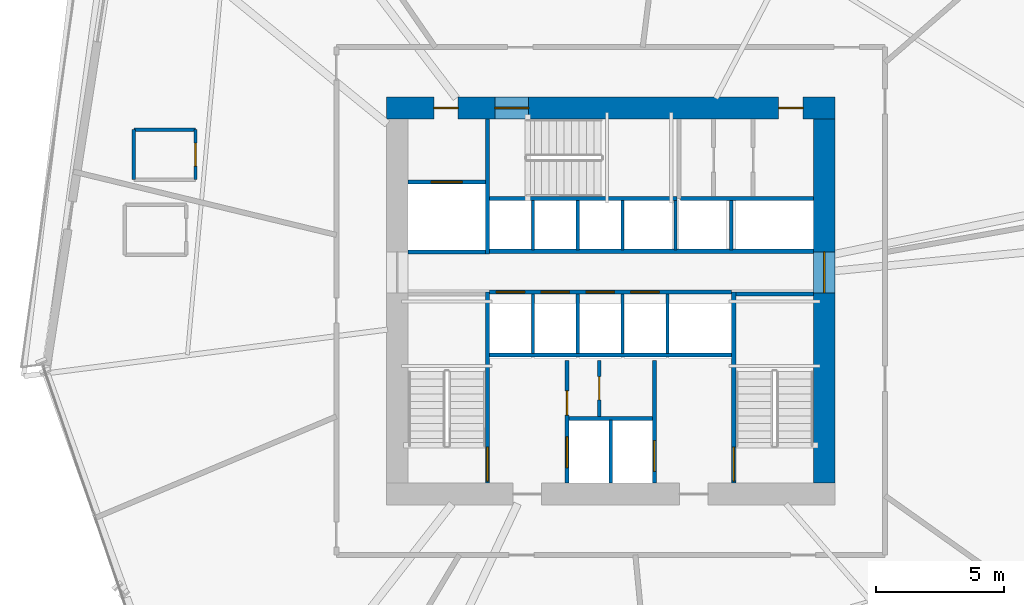
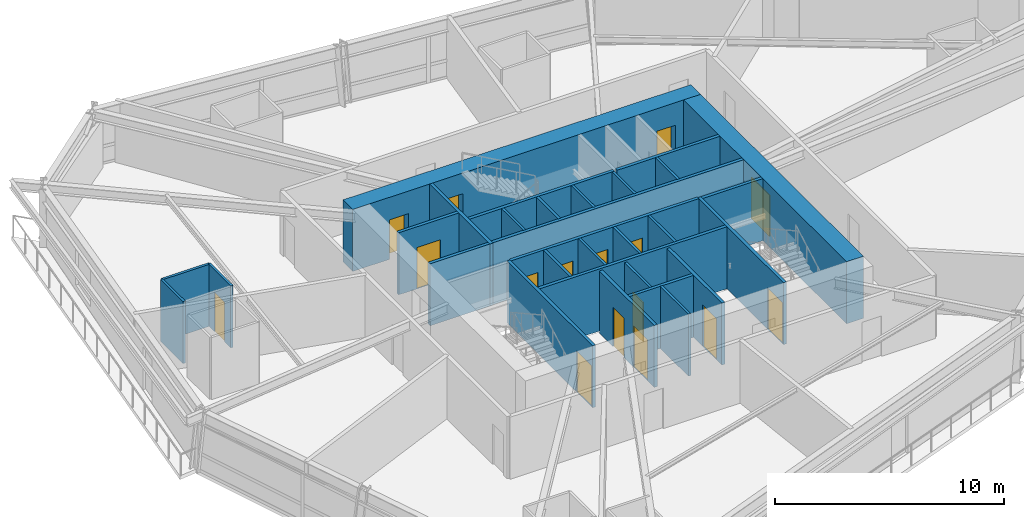
# One storey, part 16 of 22: 30 walls, 16 doors, 16 openings.
"""IFC4 building model written with IfcOpenShell, lengths in metres."""

from ifc_helpers import new_model, si_unit, direction, frame, frame_2d, origin, place, context, subcontext, project, spatial, rectangle, extrude, source, transform, mapped, material, layer, layer_set, type_object, type_shapes, element, fill, save


model = new_model("IFC4")

# Units and contexts
model_context = context("Model", 3, precision=1e-05, world=origin(), true_north=direction((0.0, 1.0)))
body_context = subcontext(model_context, "Body", "Model", "MODEL_VIEW")
ifc_project = project(units=[si_unit("LENGTHUNIT", "METRE"), si_unit("AREAUNIT", "SQUARE_METRE"), si_unit("VOLUMEUNIT", "CUBIC_METRE"), si_unit("PLANEANGLEUNIT", "RADIAN"), si_unit("MASSUNIT", "GRAM", prefix="KILO")], contexts=[model_context])

# Site, building, storey
site_placement = place(None, origin())
site = spatial("IfcSite", under=ifc_project, at=site_placement, CompositionType="ELEMENT")
building_placement = place(site_placement, origin())
building = spatial("IfcBuilding", under=site, at=building_placement, Name="Olszyna Solenne Hotel", CompositionType="ELEMENT")
storey_placement = place(building_placement, frame((0.0, 0.0, 61.25)))
storey = spatial("IfcBuildingStorey", under=building, at=storey_placement, Name="L15", CompositionType="ELEMENT", Elevation=61.25)

# Wall, openings, doors
ifc_material_1 = material(Name="Concrete C60/75", Category="concrete")
ifc_layer_1 = layer(ifc_material_1, 0.85009765625, Name="Concrete C60/75")
ifc_layer_set_1 = layer_set([ifc_layer_1], Name="Concrete C60/75")
wall_type_1 = type_object("IfcWallType", Name="WL-CR850", PredefinedType="SHEAR", material=ifc_layer_set_1)
wall_1_placement = place(storey_placement, frame((29.25, 34.125, 0.0), z_axis=(0.0, 0.0, 1.0), x_axis=(1.0, 0.0, 0.0)))
wall_1 = element("IfcWall", 1, at=wall_1_placement, inside=storey, type_object=wall_type_1, Name="Core shear wall WL-CR850 CRW-L15-N", PredefinedType="SHEAR", context=body_context, shape_type="SweptSolid", body=[
    extrude(rectangle(XDim=17.5, YDim=0.85009765625, at=frame_2d((8.75, 0.0))), origin(), (0.0, 0.0, 1.0), 3.300048828125),
])
opening_1_placement = place(wall_1_placement, frame((1.85009765625, 0.0, 0.0)))
opening_1 = element("IfcOpeningElement", 2, at=opening_1_placement, cuts=wall_1, Name="Opening SVD-L15-01", PredefinedType="OPENING", context=body_context, shape_type="SweptSolid", body=[
    extrude(rectangle(XDim=0.949951171875, YDim=2.10009765625, at=frame_2d((0.47509765625, 1.050048828125))), frame((0.0, 0.43505859375, 0.0), z_axis=(0.0, -1.0, 0.0), x_axis=(1.0, 0.0, 0.0)), (0.0, 0.0, 1.0), 0.8701171875),
])
opening_2_placement = place(wall_1_placement, frame((4.22998046875, 0.0, 0.0)))
opening_2 = element("IfcOpeningElement", 3, at=opening_2_placement, cuts=wall_1, Name="Opening STD-L15-03", PredefinedType="OPENING", context=body_context, shape_type="SweptSolid", body=[
    extrude(rectangle(XDim=1.320068359375, YDim=2.199951171875, at=frame_2d((0.66015625, 1.10009765625))), frame((0.0, 0.43505859375, 0.0), z_axis=(0.0, -1.0, 0.0), x_axis=(1.0, 0.0, 0.0)), (0.0, 0.0, 1.0), 0.8701171875),
])
opening_3_placement = place(wall_1_placement, frame((15.300048828125, 0.0, 0.0)))
opening_3 = element("IfcOpeningElement", 4, at=opening_3_placement, cuts=wall_1, Name="Opening SVD-L15-BN", PredefinedType="OPENING", context=body_context, shape_type="SweptSolid", body=[
    extrude(rectangle(XDim=0.949951171875, YDim=2.10009765625, at=frame_2d((0.47509765625, 1.050048828125))), frame((0.0, 0.43505859375, 0.0), z_axis=(0.0, -1.0, 0.0), x_axis=(1.0, 0.0, 0.0)), (0.0, 0.0, 1.0), 0.8701171875),
])
ifc_material_2 = material(Name="Steel S355J2", Category="steel")
door_type_1 = type_object("IfcDoorType", Name="DR-ST1", OperationType="NOTDEFINED", PredefinedType="DOOR", material=ifc_material_2)
shared_shape_1 = source(origin(), body_context, "Body", "SweptSolid", [
    extrude(rectangle(XDim=1.320068359375, YDim=2.199951171875, at=frame_2d((0.66015625, 1.10009765625))), frame((0.0, 0.02490234375, 0.0), z_axis=(0.0, -1.0, 0.0), x_axis=(1.0, 0.0, 0.0)), (0.0, 0.0, 1.0), 0.050048828125),
])
type_shapes(door_type_1, [shared_shape_1])
door_1_placement = place(opening_2_placement, origin())
door_1 = element("IfcDoor", 5, at=door_1_placement, inside=storey, type_object=door_type_1, Name="Pressurised exit stair ST3 fire door STD-L15-03", OperationType="SINGLE_SWING_RIGHT", OverallHeight=2.199951171875, OverallWidth=1.320068359375, PredefinedType="DOOR", context=body_context, shape_type="MappedRepresentation", body=[
    mapped(shared_shape_1, transform((0.0, 0.0, 0.0), x_axis=(1.0, 0.0, 0.0), y_axis=(0.0, 1.0, 0.0), z_axis=(0.0, 0.0, 1.0), scale=1.0)),
])
fill(opening_2, door_1)
door_type_2 = type_object("IfcDoorType", Name="DR-SV1", OperationType="NOTDEFINED", PredefinedType="DOOR", material=ifc_material_2)
shared_shape_2 = source(origin(), body_context, "Body", "SweptSolid", [
    extrude(rectangle(XDim=0.949951171875, YDim=2.10009765625, at=frame_2d((0.47509765625, 1.050048828125))), frame((0.0, 0.02490234375, 0.0), z_axis=(0.0, -1.0, 0.0), x_axis=(1.0, 0.0, 0.0)), (0.0, 0.0, 1.0), 0.050048828125),
])
type_shapes(door_type_2, [shared_shape_2])
door_2_placement = place(opening_1_placement, origin())
door_2 = element("IfcDoor", 6, at=door_2_placement, inside=storey, type_object=door_type_2, Name="Service lift lobby fire door SVD-L15-01", OperationType="SINGLE_SWING_LEFT", OverallHeight=2.10009765625, OverallWidth=0.949951171875, PredefinedType="DOOR", context=body_context, shape_type="MappedRepresentation", body=[
    mapped(shared_shape_2, transform((0.0, 0.0, 0.0), x_axis=(1.0, 0.0, 0.0), y_axis=(0.0, 1.0, 0.0), z_axis=(0.0, 0.0, 1.0), scale=1.0)),
])
fill(opening_1, door_2)
door_3_placement = place(opening_3_placement, origin())
door_3 = element("IfcDoor", 7, at=door_3_placement, inside=storey, type_object=door_type_2, Name="Housekeeping core fire door SVD-L15-BN", OperationType="SINGLE_SWING_LEFT", OverallHeight=2.10009765625, OverallWidth=0.949951171875, PredefinedType="DOOR", context=body_context, shape_type="MappedRepresentation", body=[
    mapped(shared_shape_2, transform((0.0, 0.0, 0.0), x_axis=(1.0, 0.0, 0.0), y_axis=(0.0, 1.0, 0.0), z_axis=(0.0, 0.0, 1.0), scale=1.0)),
])
fill(opening_3, door_3)

# Wall, opening, door
wall_2_placement = place(storey_placement, frame((46.324951171875, 33.699951171875, 0.0), z_axis=(0.0, 0.0, 1.0), x_axis=(0.0, -1.0, 0.0)))
wall_2 = element("IfcWall", 8, at=wall_2_placement, inside=storey, type_object=wall_type_1, Name="Core shear wall WL-CR850 CRW-L15-E", PredefinedType="SHEAR", context=body_context, shape_type="SweptSolid", body=[
    extrude(rectangle(XDim=14.199951171875, YDim=0.85009765625, at=frame_2d((7.10009765625, 0.0))), origin(), (0.0, 0.0, 1.0), 3.300048828125),
])
opening_4_placement = place(wall_2_placement, frame((5.179931640625, 0.0, 0.0)))
opening_4 = element("IfcOpeningElement", 9, at=opening_4_placement, cuts=wall_2, Name="Opening LHD-L15-E", PredefinedType="OPENING", context=body_context, shape_type="SweptSolid", body=[
    extrude(rectangle(XDim=1.60009765625, YDim=2.199951171875, at=frame_2d((0.800048828125, 1.10009765625))), frame((0.0, 0.43505859375, 0.0), z_axis=(0.0, -1.0, 0.0), x_axis=(1.0, 0.0, 0.0)), (0.0, 0.0, 1.0), 0.8701171875),
])
ifc_material_3 = material(Name="Timber hardwood", Category="wood")
door_type_3 = type_object("IfcDoorType", Name="DR-CR1", OperationType="DOUBLE_DOOR_SINGLE_SWING", PredefinedType="DOOR", material=ifc_material_3)
shared_shape_3 = source(origin(), body_context, "Body", "SweptSolid", [
    extrude(rectangle(XDim=1.60009765625, YDim=2.199951171875, at=frame_2d((0.800048828125, 1.10009765625))), frame((0.0, 0.02490234375, 0.0), z_axis=(0.0, -1.0, 0.0), x_axis=(1.0, 0.0, 0.0)), (0.0, 0.0, 1.0), 0.050048828125),
])
type_shapes(door_type_3, [shared_shape_3])
door_4_placement = place(opening_4_placement, origin())
door_4 = element("IfcDoor", 10, at=door_4_placement, inside=storey, type_object=door_type_3, Name="Passenger lift lobby East fire door LHD-L15-E", OperationType="DOUBLE_DOOR_SINGLE_SWING", OverallHeight=2.199951171875, OverallWidth=1.60009765625, PredefinedType="DOOR", context=body_context, shape_type="MappedRepresentation", body=[
    mapped(shared_shape_3, transform((0.0, 0.0, 0.0), x_axis=(1.0, 0.0, 0.0), y_axis=(0.0, 1.0, 0.0), z_axis=(0.0, 0.0, 1.0), scale=1.0)),
])
fill(opening_4, door_4)

# Wall
ifc_material_4 = material(Name="Acoustic gypsum partition", Category="gypsum")
ifc_layer_2 = layer(ifc_material_4, 0.125, Name="Acoustic gypsum partition")
ifc_layer_set_2 = layer_set([ifc_layer_2], Name="Acoustic gypsum partition")
wall_type_2 = type_object("IfcWallType", Name="WL-PT125", PredefinedType="PARTITIONING", material=ifc_layer_set_2)
wall_3_placement = place(storey_placement, frame((38.0, 19.5, 0.0), z_axis=(0.0, 0.0, 1.0), x_axis=(0.0, 1.0, 0.0)))
element("IfcWall", 11, at=wall_3_placement, inside=storey, type_object=wall_type_2, Name="Core shaft compartment wall CW-L15-FFM", PredefinedType="PARTITIONING", context=body_context, shape_type="SweptSolid", body=[
    extrude(rectangle(XDim=2.4599609375, YDim=0.125, at=frame_2d((1.22998046875, 0.0))), origin(), (0.0, 0.0, 1.0), 3.300048828125),
])

# Wall, opening, door
wall_4_placement = place(storey_placement, frame((37.553955078125, 22.10009765625, 0.0), z_axis=(0.0, 0.0, 1.0), x_axis=(0.0, 1.0, 0.0)))
wall_4 = element("IfcWall", 12, at=wall_4_placement, inside=storey, type_object=wall_type_2, Name="Core shaft compartment wall CW-L15-SC3", PredefinedType="PARTITIONING", context=body_context, shape_type="SweptSolid", body=[
    extrude(rectangle(XDim=2.179931640625, YDim=0.125, at=frame_2d((1.08984375, 0.0))), origin(), (0.0, 0.0, 1.0), 3.300048828125),
])
opening_5_placement = place(wall_4_placement, frame((0.64990234375, 0.0, 0.0)))
opening_5 = element("IfcOpeningElement", 13, at=opening_5_placement, cuts=wall_4, Name="Opening SVD-L15-SC3", PredefinedType="OPENING", context=body_context, shape_type="SweptSolid", body=[
    extrude(rectangle(XDim=0.89990234375, YDim=2.10009765625, at=frame_2d((0.449951171875, 1.050048828125))), frame((0.0, 0.072509765625, 0.0), z_axis=(0.0, -1.0, 0.0), x_axis=(1.0, 0.0, 0.0)), (0.0, 0.0, 1.0), 0.14501953125),
])
door_type_4 = type_object("IfcDoorType", Name="DR-WC1", OperationType="NOTDEFINED", PredefinedType="DOOR", material=ifc_material_3)
shared_shape_4 = source(origin(), body_context, "Body", "SweptSolid", [
    extrude(rectangle(XDim=0.89990234375, YDim=2.10009765625, at=frame_2d((0.449951171875, 1.050048828125))), frame((0.0, 0.02490234375, 0.0), z_axis=(0.0, -1.0, 0.0), x_axis=(1.0, 0.0, 0.0)), (0.0, 0.0, 1.0), 0.050048828125),
])
type_shapes(door_type_4, [shared_shape_4])
door_5_placement = place(opening_5_placement, origin())
door_5 = element("IfcDoor", 14, at=door_5_placement, inside=storey, type_object=door_type_4, Name="Trolley bay door SVD-L15-SC3", OperationType="SINGLE_SWING_LEFT", OverallHeight=2.10009765625, OverallWidth=0.89990234375, PredefinedType="DOOR", context=body_context, shape_type="MappedRepresentation", body=[
    mapped(shared_shape_4, transform((0.0, 0.0, 0.0), x_axis=(1.0, 0.0, 0.0), y_axis=(0.0, 1.0, 0.0), z_axis=(0.0, 0.0, 1.0), scale=1.0)),
])
fill(opening_5, door_5)

# Walls
for number, where, z_axis, x_axis, name in (
    (15, (34.965087890625, 24.56005859375, 0.0), (0.0, 0.0, 1.0), (0.0, 1.0, 0.0), "Core shaft compartment wall CW-L15-DIVS349"),
    (16, (36.715087890625, 24.56005859375, 0.0), (0.0, 0.0, 1.0), (0.0, 1.0, 0.0), "Core shaft compartment wall CW-L15-DIVS367"),
    (17, (38.465087890625, 24.56005859375, 0.0), (0.0, 0.0, 1.0), (0.0, 1.0, 0.0), "Core shaft compartment wall CW-L15-DIVS384"),
    (18, (40.215087890625, 24.56005859375, 0.0), (0.0, 0.0, 1.0), (0.0, 1.0, 0.0), "Core shaft compartment wall CW-L15-DIVS402"),
):
    element("IfcWall", number, at=place(storey_placement, frame(where, z_axis=z_axis, x_axis=x_axis)), inside=storey, type_object=wall_type_2, Name=name, PredefinedType="PARTITIONING", context=body_context, shape_type="SweptSolid", body=[
        extrude(rectangle(XDim=2.31005859375, YDim=0.125, at=frame_2d((1.155029296875, 0.0))), origin(), (0.0, 0.0, 1.0), 3.300048828125),
    ])
for number, where, z_axis, x_axis, name in (
    (19, (34.965087890625, 28.60009765625, 0.0), (0.0, 0.0, 1.0), (0.0, 1.0, 0.0), "Core shaft compartment wall CW-L15-DIVN349"),
    (20, (36.715087890625, 28.60009765625, 0.0), (0.0, 0.0, 1.0), (0.0, 1.0, 0.0), "Core shaft compartment wall CW-L15-DIVN367"),
    (21, (38.465087890625, 28.60009765625, 0.0), (0.0, 0.0, 1.0), (0.0, 1.0, 0.0), "Core shaft compartment wall CW-L15-DIVN384"),
    (22, (40.52490234375, 28.60009765625, 0.0), (0.0, 0.0, 1.0), (0.0, 1.0, 0.0), "Core shaft compartment wall CW-L15-DIVEX405"),
    (23, (42.699951171875, 28.60009765625, 0.0), (0.0, 0.0, 1.0), (0.0, 1.0, 0.0), "Core shaft compartment wall CW-L15-DIVEX427"),
):
    element("IfcWall", number, at=place(storey_placement, frame(where, z_axis=z_axis, x_axis=x_axis)), inside=storey, type_object=wall_type_2, Name=name, PredefinedType="PARTITIONING", context=body_context, shape_type="SweptSolid", body=[
        extrude(rectangle(XDim=1.919921875, YDim=0.125, at=frame_2d((0.9599609375, 0.0))), origin(), (0.0, 0.0, 1.0), 3.300048828125),
    ])

# Wall, opening, door
wall_5_placement = place(storey_placement, frame((21.802001953125, 31.33203125, 0.0), z_axis=(0.0, 0.0, 1.0), x_axis=(0.0, 1.0, 0.0)))
wall_5 = element("IfcWall", 24, at=wall_5_placement, inside=storey, type_object=wall_type_2, Name="Interior acoustic partition WL-PT125 PW-L15-0853", PredefinedType="PARTITIONING", context=body_context, shape_type="SweptSolid", body=[
    extrude(rectangle(XDim=1.949951171875, YDim=0.125, at=frame_2d((0.97509765625, 0.0))), origin(), (0.0, 0.0, 1.0), 3.300048828125),
])
opening_6_placement = place(wall_5_placement, frame((0.52490234375, 0.0, 0.0)))
opening_6 = element("IfcOpeningElement", 25, at=opening_6_placement, cuts=wall_5, Name="Opening DR-L15-0188", PredefinedType="OPENING", context=body_context, shape_type="SweptSolid", body=[
    extrude(rectangle(XDim=0.89990234375, YDim=2.10009765625, at=frame_2d((0.449951171875, 1.050048828125))), frame((0.0, 0.072509765625, 0.0), z_axis=(0.0, -1.0, 0.0), x_axis=(1.0, 0.0, 0.0)), (0.0, 0.0, 1.0), 0.14501953125),
])
door_6_placement = place(opening_6_placement, origin())
door_6 = element("IfcDoor", 26, at=door_6_placement, inside=storey, type_object=door_type_4, Name="En-Suite Bathroom Door DR-L15-0188", OperationType="SINGLE_SWING_RIGHT", OverallHeight=2.10009765625, OverallWidth=0.89990234375, PredefinedType="DOOR", context=body_context, shape_type="MappedRepresentation", body=[
    mapped(shared_shape_4, transform((0.0, 0.0, 0.0), x_axis=(1.0, 0.0, 0.0), y_axis=(0.0, 1.0, 0.0), z_axis=(0.0, 0.0, 1.0), scale=1.0)),
])
fill(opening_6, door_6)

# Walls
wall_6_placement = place(storey_placement, frame((21.802001953125, 33.281982421875, 0.0), z_axis=(0.0, 0.0, 1.0), x_axis=(-1.0, 0.0, 0.0)))
element("IfcWall", 27, at=wall_6_placement, inside=storey, type_object=wall_type_2, Name="Interior acoustic partition WL-PT125 PW-L15-0854", PredefinedType="PARTITIONING", context=body_context, shape_type="SweptSolid", body=[
    extrude(rectangle(XDim=2.39990234375, YDim=0.125, at=frame_2d((1.199951171875, 0.0))), origin(), (0.0, 0.0, 1.0), 3.300048828125),
])
wall_7_placement = place(storey_placement, frame((19.402099609375, 33.281982421875, 0.0), z_axis=(0.0, 0.0, 1.0), x_axis=(0.0, -1.0, 0.0)))
element("IfcWall", 28, at=wall_7_placement, inside=storey, type_object=wall_type_2, Name="Interior acoustic partition WL-PT125 PW-L15-0855", PredefinedType="PARTITIONING", context=body_context, shape_type="SweptSolid", body=[
    extrude(rectangle(XDim=1.949951171875, YDim=0.125, at=frame_2d((0.97509765625, 0.0))), origin(), (0.0, 0.0, 1.0), 3.300048828125),
])

# Wall, opening, door
ifc_layer_3 = layer(ifc_material_4, 0.159912109375, Name="Acoustic gypsum partition")
ifc_layer_set_3 = layer_set([ifc_layer_3], Name="Acoustic gypsum partition")
wall_type_3 = type_object("IfcWallType", Name="WL-PT160", PredefinedType="PARTITIONING", material=ifc_layer_set_3)
wall_8_placement = place(storey_placement, frame((33.199951171875, 19.5, 0.0), z_axis=(0.0, 0.0, 1.0), x_axis=(0.0, 1.0, 0.0)))
wall_8 = element("IfcWall", 29, at=wall_8_placement, inside=storey, type_object=wall_type_3, Name="Core shaft compartment wall CW-L15-ST1E", PredefinedType="PARTITIONING", context=body_context, shape_type="SweptSolid", body=[
    extrude(rectangle(XDim=7.4599609375, YDim=0.159912109375, at=frame_2d((3.72998046875, 0.0))), origin(), (0.0, 0.0, 1.0), 3.300048828125),
])
opening_7_placement = place(wall_8_placement, frame((0.080078125, 0.0, 0.0)))
opening_7 = element("IfcOpeningElement", 30, at=opening_7_placement, cuts=wall_8, Name="Opening STD-L15-01", PredefinedType="OPENING", context=body_context, shape_type="SweptSolid", body=[
    extrude(rectangle(XDim=1.320068359375, YDim=2.199951171875, at=frame_2d((0.66015625, 1.10009765625))), frame((0.0, 0.08984375, 0.0), z_axis=(0.0, -1.0, 0.0), x_axis=(1.0, 0.0, 0.0)), (0.0, 0.0, 1.0), 0.179931640625),
])
door_7_placement = place(opening_7_placement, origin())
door_7 = element("IfcDoor", 31, at=door_7_placement, inside=storey, type_object=door_type_1, Name="Pressurised exit stair ST1 fire door STD-L15-01", OperationType="SINGLE_SWING_LEFT", OverallHeight=2.199951171875, OverallWidth=1.320068359375, PredefinedType="DOOR", context=body_context, shape_type="MappedRepresentation", body=[
    mapped(shared_shape_1, transform((0.0, 0.0, 0.0), x_axis=(1.0, 0.0, 0.0), y_axis=(0.0, 1.0, 0.0), z_axis=(0.0, 0.0, 1.0), scale=1.0)),
])
fill(opening_7, door_7)

wall_9_placement = place(storey_placement, frame((42.800048828125, 26.9599609375, 0.0), z_axis=(0.0, 0.0, 1.0), x_axis=(0.0, -1.0, 0.0)))
wall_9 = element("IfcWall", 32, at=wall_9_placement, inside=storey, type_object=wall_type_3, Name="Core shaft compartment wall CW-L15-ST2W", PredefinedType="PARTITIONING", context=body_context, shape_type="SweptSolid", body=[
    extrude(rectangle(XDim=7.4599609375, YDim=0.159912109375, at=frame_2d((3.72998046875, 0.0))), origin(), (0.0, 0.0, 1.0), 3.300048828125),
])
opening_8_placement = place(wall_9_placement, frame((6.06005859375, 0.0, 0.0)))
opening_8 = element("IfcOpeningElement", 33, at=opening_8_placement, cuts=wall_9, Name="Opening STD-L15-02", PredefinedType="OPENING", context=body_context, shape_type="SweptSolid", body=[
    extrude(rectangle(XDim=1.320068359375, YDim=2.199951171875, at=frame_2d((0.66015625, 1.10009765625))), frame((0.0, 0.08984375, 0.0), z_axis=(0.0, -1.0, 0.0), x_axis=(1.0, 0.0, 0.0)), (0.0, 0.0, 1.0), 0.179931640625),
])
door_8_placement = place(opening_8_placement, origin())
door_8 = element("IfcDoor", 34, at=door_8_placement, inside=storey, type_object=door_type_1, Name="Pressurised exit stair ST2 fire door STD-L15-02", OperationType="SINGLE_SWING_RIGHT", OverallHeight=2.199951171875, OverallWidth=1.320068359375, PredefinedType="DOOR", context=body_context, shape_type="MappedRepresentation", body=[
    mapped(shared_shape_1, transform((0.0, 0.0, 0.0), x_axis=(1.0, 0.0, 0.0), y_axis=(0.0, 1.0, 0.0), z_axis=(0.0, 0.0, 1.0), scale=1.0)),
])
fill(opening_8, door_8)

# Walls
wall_10_placement = place(storey_placement, frame((42.8798828125, 26.8798828125, 0.0), z_axis=(0.0, 0.0, 1.0), x_axis=(1.0, 0.0, 0.0)))
element("IfcWall", 35, at=wall_10_placement, inside=storey, type_object=wall_type_3, Name="Core shaft compartment wall CW-L15-ST2N", PredefinedType="PARTITIONING", context=body_context, shape_type="SweptSolid", body=[
    extrude(rectangle(XDim=3.02001953125, YDim=0.159912109375, at=frame_2d((1.510009765625, 0.0))), origin(), (0.0, 0.0, 1.0), 3.300048828125),
])
wall_11_placement = place(storey_placement, frame((33.280029296875, 30.60009765625, 0.0), z_axis=(0.0, 0.0, 1.0), x_axis=(1.0, 0.0, 0.0)))
element("IfcWall", 36, at=wall_11_placement, inside=storey, type_object=wall_type_3, Name="Core shaft compartment wall CW-L15-ST3S", PredefinedType="PARTITIONING", context=body_context, shape_type="SweptSolid", body=[
    extrude(rectangle(XDim=7.300048828125, YDim=0.159912109375, at=frame_2d((3.64990234375, 0.0))), origin(), (0.0, 0.0, 1.0), 3.300048828125),
])

# Wall, openings, doors
wall_12_placement = place(storey_placement, frame((36.300048828125, 19.5, 0.0), z_axis=(0.0, 0.0, 1.0), x_axis=(0.0, 1.0, 0.0)))
wall_12 = element("IfcWall", 37, at=wall_12_placement, inside=storey, type_object=wall_type_3, Name="Core shaft compartment wall CW-L15-FF1W", PredefinedType="PARTITIONING", context=body_context, shape_type="SweptSolid", body=[
    extrude(rectangle(XDim=4.780029296875, YDim=0.159912109375, at=frame_2d((2.39013671875, 0.0))), origin(), (0.0, 0.0, 1.0), 3.300048828125),
])
opening_9_placement = place(wall_12_placement, frame((0.60009765625, 0.0, 0.0)))
opening_9 = element("IfcOpeningElement", 38, at=opening_9_placement, cuts=wall_12, Name="Opening LD-L15-FF1", PredefinedType="OPENING", context=body_context, shape_type="SweptSolid", body=[
    extrude(rectangle(XDim=1.199951171875, YDim=2.199951171875, at=frame_2d((0.60009765625, 1.10009765625))), frame((0.0, 0.08984375, 0.0), z_axis=(0.0, -1.0, 0.0), x_axis=(1.0, 0.0, 0.0)), (0.0, 0.0, 1.0), 0.179931640625),
])
opening_10_placement = place(wall_12_placement, frame((2.64990234375, 0.0, 0.0)))
opening_10 = element("IfcOpeningElement", 39, at=opening_10_placement, cuts=wall_12, Name="Opening SVD-L15-SMK", PredefinedType="OPENING", context=body_context, shape_type="SweptSolid", body=[
    extrude(rectangle(XDim=0.949951171875, YDim=2.10009765625, at=frame_2d((0.47509765625, 1.050048828125))), frame((0.0, 0.08984375, 0.0), z_axis=(0.0, -1.0, 0.0), x_axis=(1.0, 0.0, 0.0)), (0.0, 0.0, 1.0), 0.179931640625),
])
door_9_placement = place(opening_10_placement, origin())
door_9 = element("IfcDoor", 40, at=door_9_placement, inside=storey, type_object=door_type_2, Name="Valet and core service room door SVD-L15-SMK", OperationType="SINGLE_SWING_LEFT", OverallHeight=2.10009765625, OverallWidth=0.949951171875, PredefinedType="DOOR", context=body_context, shape_type="MappedRepresentation", body=[
    mapped(shared_shape_2, transform((0.0, 0.0, 0.0), x_axis=(1.0, 0.0, 0.0), y_axis=(0.0, 1.0, 0.0), z_axis=(0.0, 0.0, 1.0), scale=1.0)),
])
fill(opening_10, door_9)
door_type_5 = type_object("IfcDoorType", Name="LD-FF1", OperationType="DOUBLE_DOOR_SLIDING", PredefinedType="DOOR", material=ifc_material_2)
shared_shape_5 = source(origin(), body_context, "Body", "SweptSolid", [
    extrude(rectangle(XDim=1.199951171875, YDim=2.199951171875, at=frame_2d((0.60009765625, 1.10009765625))), frame((0.0, 0.02490234375, 0.0), z_axis=(0.0, -1.0, 0.0), x_axis=(1.0, 0.0, 0.0)), (0.0, 0.0, 1.0), 0.050048828125),
])
type_shapes(door_type_5, [shared_shape_5])
door_10_placement = place(opening_9_placement, origin())
door_10 = element("IfcDoor", 41, at=door_10_placement, inside=storey, type_object=door_type_5, Name="Firefighters lift FF1 sliding landing door LD-L15-FF1", OperationType="DOUBLE_DOOR_SLIDING", OverallHeight=2.199951171875, OverallWidth=1.199951171875, PredefinedType="DOOR", context=body_context, shape_type="MappedRepresentation", body=[
    mapped(shared_shape_5, transform((0.0, 0.0, 0.0), x_axis=(1.0, 0.0, 0.0), y_axis=(0.0, 1.0, 0.0), z_axis=(0.0, 0.0, 1.0), scale=1.0)),
])
fill(opening_9, door_10)

# Wall, opening, door
wall_13_placement = place(storey_placement, frame((39.699951171875, 24.280029296875, 0.0), z_axis=(0.0, 0.0, 1.0), x_axis=(0.0, -1.0, 0.0)))
wall_13 = element("IfcWall", 42, at=wall_13_placement, inside=storey, type_object=wall_type_3, Name="Core shaft compartment wall CW-L15-FF2E", PredefinedType="PARTITIONING", context=body_context, shape_type="SweptSolid", body=[
    extrude(rectangle(XDim=4.780029296875, YDim=0.159912109375, at=frame_2d((2.39013671875, 0.0))), origin(), (0.0, 0.0, 1.0), 3.300048828125),
])
opening_11_placement = place(wall_13_placement, frame((3.1201171875, 0.0, 0.0)))
opening_11 = element("IfcOpeningElement", 43, at=opening_11_placement, cuts=wall_13, Name="Opening LD-L15-FF2", PredefinedType="OPENING", context=body_context, shape_type="SweptSolid", body=[
    extrude(rectangle(XDim=1.199951171875, YDim=2.199951171875, at=frame_2d((0.60009765625, 1.10009765625))), frame((0.0, 0.08984375, 0.0), z_axis=(0.0, -1.0, 0.0), x_axis=(1.0, 0.0, 0.0)), (0.0, 0.0, 1.0), 0.179931640625),
])
door_11_placement = place(opening_11_placement, origin())
door_11 = element("IfcDoor", 44, at=door_11_placement, inside=storey, type_object=door_type_5, Name="Firefighters lift FF2 sliding landing door LD-L15-FF2", OperationType="DOUBLE_DOOR_SLIDING", OverallHeight=2.199951171875, OverallWidth=1.199951171875, PredefinedType="DOOR", context=body_context, shape_type="MappedRepresentation", body=[
    mapped(shared_shape_5, transform((0.0, 0.0, 0.0), x_axis=(1.0, 0.0, 0.0), y_axis=(0.0, 1.0, 0.0), z_axis=(0.0, 0.0, 1.0), scale=1.0)),
])
fill(opening_11, door_11)

# Walls
wall_14_placement = place(storey_placement, frame((36.3798828125, 22.02001953125, 0.0), z_axis=(0.0, 0.0, 1.0), x_axis=(1.0, 0.0, 0.0)))
element("IfcWall", 45, at=wall_14_placement, inside=storey, type_object=wall_type_3, Name="Core shaft compartment wall CW-L15-FFN", PredefinedType="PARTITIONING", context=body_context, shape_type="SweptSolid", body=[
    extrude(rectangle(XDim=3.240234375, YDim=0.159912109375, at=frame_2d((1.6201171875, 0.0))), origin(), (0.0, 0.0, 1.0), 3.300048828125),
])
wall_15_placement = place(storey_placement, frame((33.280029296875, 24.489990234375, 0.0), z_axis=(0.0, 0.0, 1.0), x_axis=(1.0, 0.0, 0.0)))
element("IfcWall", 46, at=wall_15_placement, inside=storey, type_object=wall_type_3, Name="Core shaft compartment wall CW-L15-FFBN", PredefinedType="PARTITIONING", context=body_context, shape_type="SweptSolid", body=[
    extrude(rectangle(XDim=9.43994140625, YDim=0.159912109375, at=frame_2d((4.719970703125, 0.0))), origin(), (0.0, 0.0, 1.0), 3.300048828125),
])
wall_16_placement = place(storey_placement, frame((30.10009765625, 28.52001953125, 0.0), z_axis=(0.0, 0.0, 1.0), x_axis=(1.0, 0.0, 0.0)))
element("IfcWall", 47, at=wall_16_placement, inside=storey, type_object=wall_type_3, Name="Core shaft compartment wall CW-L15-SV1S", PredefinedType="PARTITIONING", context=body_context, shape_type="SweptSolid", body=[
    extrude(rectangle(XDim=3.02001953125, YDim=0.159912109375, at=frame_2d((1.510009765625, 0.0))), origin(), (0.0, 0.0, 1.0), 3.300048828125),
])
wall_17_placement = place(storey_placement, frame((33.199951171875, 28.43994140625, 0.0), z_axis=(0.0, 0.0, 1.0), x_axis=(0.0, 1.0, 0.0)))
element("IfcWall", 48, at=wall_17_placement, inside=storey, type_object=wall_type_3, Name="Core shaft compartment wall CW-L15-SV1E", PredefinedType="PARTITIONING", context=body_context, shape_type="SweptSolid", body=[
    extrude(rectangle(XDim=5.260009765625, YDim=0.159912109375, at=frame_2d((2.6298828125, 0.0))), origin(), (0.0, 0.0, 1.0), 3.300048828125),
])

# Wall, opening, door
wall_18_placement = place(storey_placement, frame((30.10009765625, 31.239990234375, 0.0), z_axis=(0.0, 0.0, 1.0), x_axis=(1.0, 0.0, 0.0)))
wall_18 = element("IfcWall", 49, at=wall_18_placement, inside=storey, type_object=wall_type_3, Name="Core shaft compartment wall CW-L15-SV1N", PredefinedType="PARTITIONING", context=body_context, shape_type="SweptSolid", body=[
    extrude(rectangle(XDim=3.02001953125, YDim=0.159912109375, at=frame_2d((1.510009765625, 0.0))), origin(), (0.0, 0.0, 1.0), 3.300048828125),
])
opening_12_placement = place(wall_18_placement, frame((0.909912109375, 0.0, 0.0)))
opening_12 = element("IfcOpeningElement", 50, at=opening_12_placement, cuts=wall_18, Name="Opening LD-L15-SV1", PredefinedType="OPENING", context=body_context, shape_type="SweptSolid", body=[
    extrude(rectangle(XDim=1.199951171875, YDim=2.199951171875, at=frame_2d((0.60009765625, 1.10009765625))), frame((0.0, 0.08984375, 0.0), z_axis=(0.0, -1.0, 0.0), x_axis=(1.0, 0.0, 0.0)), (0.0, 0.0, 1.0), 0.179931640625),
])
door_12_placement = place(opening_12_placement, origin())
door_12 = element("IfcDoor", 51, at=door_12_placement, inside=storey, type_object=door_type_5, Name="Service lift SV1 sliding landing door LD-L15-SV1", OperationType="DOUBLE_DOOR_SLIDING", OverallHeight=2.199951171875, OverallWidth=1.199951171875, PredefinedType="DOOR", context=body_context, shape_type="MappedRepresentation", body=[
    mapped(shared_shape_5, transform((0.0, 0.0, 0.0), x_axis=(1.0, 0.0, 0.0), y_axis=(0.0, 1.0, 0.0), z_axis=(0.0, 0.0, 1.0), scale=1.0)),
])
fill(opening_12, door_12)

# Wall, openings, doors
wall_19_placement = place(storey_placement, frame((33.280029296875, 26.949951171875, 0.0), z_axis=(0.0, 0.0, 1.0), x_axis=(1.0, 0.0, 0.0)))
wall_19 = element("IfcWall", 52, at=wall_19_placement, inside=storey, type_object=wall_type_3, Name="Core shaft compartment wall CW-L15-LRS", PredefinedType="PARTITIONING", context=body_context, shape_type="SweptSolid", body=[
    extrude(rectangle(XDim=9.43994140625, YDim=0.159912109375, at=frame_2d((4.719970703125, 0.0))), origin(), (0.0, 0.0, 1.0), 3.300048828125),
])
opening_13_placement = place(wall_19_placement, frame((0.260009765625, 0.0, 0.0)))
opening_13 = element("IfcOpeningElement", 53, at=opening_13_placement, cuts=wall_19, Name="Opening LD-L15-PL1", PredefinedType="OPENING", context=body_context, shape_type="SweptSolid", body=[
    extrude(rectangle(XDim=1.10009765625, YDim=2.199951171875, at=frame_2d((0.550048828125, 1.10009765625))), frame((0.0, 0.08984375, 0.0), z_axis=(0.0, -1.0, 0.0), x_axis=(1.0, 0.0, 0.0)), (0.0, 0.0, 1.0), 0.179931640625),
])
opening_14_placement = place(wall_19_placement, frame((2.010009765625, 0.0, 0.0)))
opening_14 = element("IfcOpeningElement", 54, at=opening_14_placement, cuts=wall_19, Name="Opening LD-L15-PL2", PredefinedType="OPENING", context=body_context, shape_type="SweptSolid", body=[
    extrude(rectangle(XDim=1.10009765625, YDim=2.199951171875, at=frame_2d((0.550048828125, 1.10009765625))), frame((0.0, 0.08984375, 0.0), z_axis=(0.0, -1.0, 0.0), x_axis=(1.0, 0.0, 0.0)), (0.0, 0.0, 1.0), 0.179931640625),
])
opening_15_placement = place(wall_19_placement, frame((3.760009765625, 0.0, 0.0)))
opening_15 = element("IfcOpeningElement", 55, at=opening_15_placement, cuts=wall_19, Name="Opening LD-L15-PL3", PredefinedType="OPENING", context=body_context, shape_type="SweptSolid", body=[
    extrude(rectangle(XDim=1.10009765625, YDim=2.199951171875, at=frame_2d((0.550048828125, 1.10009765625))), frame((0.0, 0.08984375, 0.0), z_axis=(0.0, -1.0, 0.0), x_axis=(1.0, 0.0, 0.0)), (0.0, 0.0, 1.0), 0.179931640625),
])
opening_16_placement = place(wall_19_placement, frame((5.510009765625, 0.0, 0.0)))
opening_16 = element("IfcOpeningElement", 56, at=opening_16_placement, cuts=wall_19, Name="Opening LD-L15-PL4", PredefinedType="OPENING", context=body_context, shape_type="SweptSolid", body=[
    extrude(rectangle(XDim=1.10009765625, YDim=2.199951171875, at=frame_2d((0.550048828125, 1.10009765625))), frame((0.0, 0.08984375, 0.0), z_axis=(0.0, -1.0, 0.0), x_axis=(1.0, 0.0, 0.0)), (0.0, 0.0, 1.0), 0.179931640625),
])
door_type_6 = type_object("IfcDoorType", Name="LD-P1", OperationType="DOUBLE_DOOR_SLIDING", PredefinedType="DOOR", material=ifc_material_2)
shared_shape_6 = source(origin(), body_context, "Body", "SweptSolid", [
    extrude(rectangle(XDim=1.10009765625, YDim=2.199951171875, at=frame_2d((0.550048828125, 1.10009765625))), frame((0.0, 0.02490234375, 0.0), z_axis=(0.0, -1.0, 0.0), x_axis=(1.0, 0.0, 0.0)), (0.0, 0.0, 1.0), 0.050048828125),
])
type_shapes(door_type_6, [shared_shape_6])
door_13_placement = place(opening_13_placement, origin())
door_13 = element("IfcDoor", 57, at=door_13_placement, inside=storey, type_object=door_type_6, Name="Passenger lift PL1 sliding landing door LD-L15-PL1", OperationType="DOUBLE_DOOR_SLIDING", OverallHeight=2.199951171875, OverallWidth=1.10009765625, PredefinedType="DOOR", context=body_context, shape_type="MappedRepresentation", body=[
    mapped(shared_shape_6, transform((0.0, 0.0, 0.0), x_axis=(1.0, 0.0, 0.0), y_axis=(0.0, 1.0, 0.0), z_axis=(0.0, 0.0, 1.0), scale=1.0)),
])
fill(opening_13, door_13)
door_14_placement = place(opening_14_placement, origin())
door_14 = element("IfcDoor", 58, at=door_14_placement, inside=storey, type_object=door_type_6, Name="Passenger lift PL2 sliding landing door LD-L15-PL2", OperationType="DOUBLE_DOOR_SLIDING", OverallHeight=2.199951171875, OverallWidth=1.10009765625, PredefinedType="DOOR", context=body_context, shape_type="MappedRepresentation", body=[
    mapped(shared_shape_6, transform((0.0, 0.0, 0.0), x_axis=(1.0, 0.0, 0.0), y_axis=(0.0, 1.0, 0.0), z_axis=(0.0, 0.0, 1.0), scale=1.0)),
])
fill(opening_14, door_14)
door_15_placement = place(opening_15_placement, origin())
door_15 = element("IfcDoor", 59, at=door_15_placement, inside=storey, type_object=door_type_6, Name="Passenger lift PL3 sliding landing door LD-L15-PL3", OperationType="DOUBLE_DOOR_SLIDING", OverallHeight=2.199951171875, OverallWidth=1.10009765625, PredefinedType="DOOR", context=body_context, shape_type="MappedRepresentation", body=[
    mapped(shared_shape_6, transform((0.0, 0.0, 0.0), x_axis=(1.0, 0.0, 0.0), y_axis=(0.0, 1.0, 0.0), z_axis=(0.0, 0.0, 1.0), scale=1.0)),
])
fill(opening_15, door_15)
door_16_placement = place(opening_16_placement, origin())
door_16 = element("IfcDoor", 60, at=door_16_placement, inside=storey, type_object=door_type_6, Name="Passenger lift PL4 sliding landing door LD-L15-PL4", OperationType="DOUBLE_DOOR_SLIDING", OverallHeight=2.199951171875, OverallWidth=1.10009765625, PredefinedType="DOOR", context=body_context, shape_type="MappedRepresentation", body=[
    mapped(shared_shape_6, transform((0.0, 0.0, 0.0), x_axis=(1.0, 0.0, 0.0), y_axis=(0.0, 1.0, 0.0), z_axis=(0.0, 0.0, 1.0), scale=1.0)),
])
fill(opening_16, door_16)

# Walls
wall_20_placement = place(storey_placement, frame((33.280029296875, 28.5400390625, 0.0), z_axis=(0.0, 0.0, 1.0), x_axis=(1.0, 0.0, 0.0)))
element("IfcWall", 61, at=wall_20_placement, inside=storey, type_object=wall_type_3, Name="Core shaft compartment wall CW-L15-LRN", PredefinedType="PARTITIONING", context=body_context, shape_type="SweptSolid", body=[
    extrude(rectangle(XDim=12.619873046875, YDim=0.159912109375, at=frame_2d((6.31005859375, 0.0))), origin(), (0.0, 0.0, 1.0), 3.300048828125),
])
wall_21_placement = place(storey_placement, frame((40.719970703125, 30.60009765625, 0.0), z_axis=(0.0, 0.0, 1.0), x_axis=(1.0, 0.0, 0.0)))
element("IfcWall", 62, at=wall_21_placement, inside=storey, type_object=wall_type_3, Name="Core shaft compartment wall CW-L15-LRNTOP", PredefinedType="PARTITIONING", context=body_context, shape_type="SweptSolid", body=[
    extrude(rectangle(XDim=5.179931640625, YDim=0.159912109375, at=frame_2d((2.58984375, 0.0))), origin(), (0.0, 0.0, 1.0), 3.300048828125),
])

save(model, "model.ifc")
